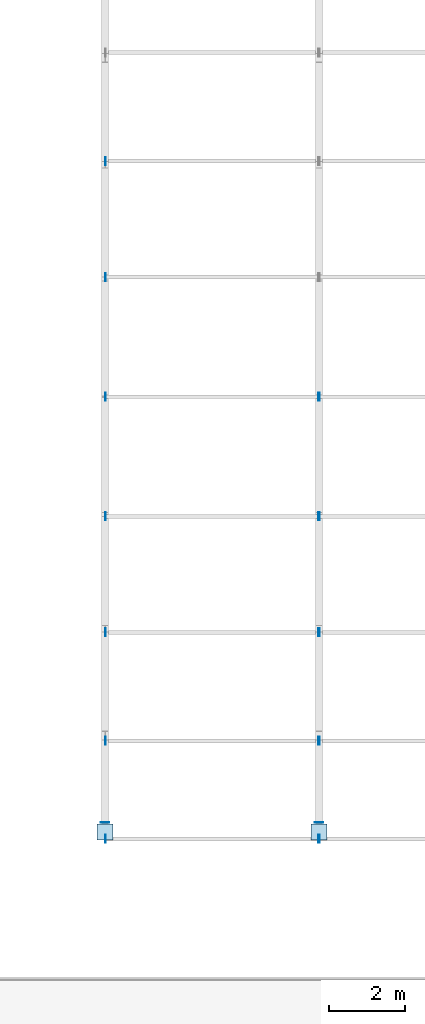
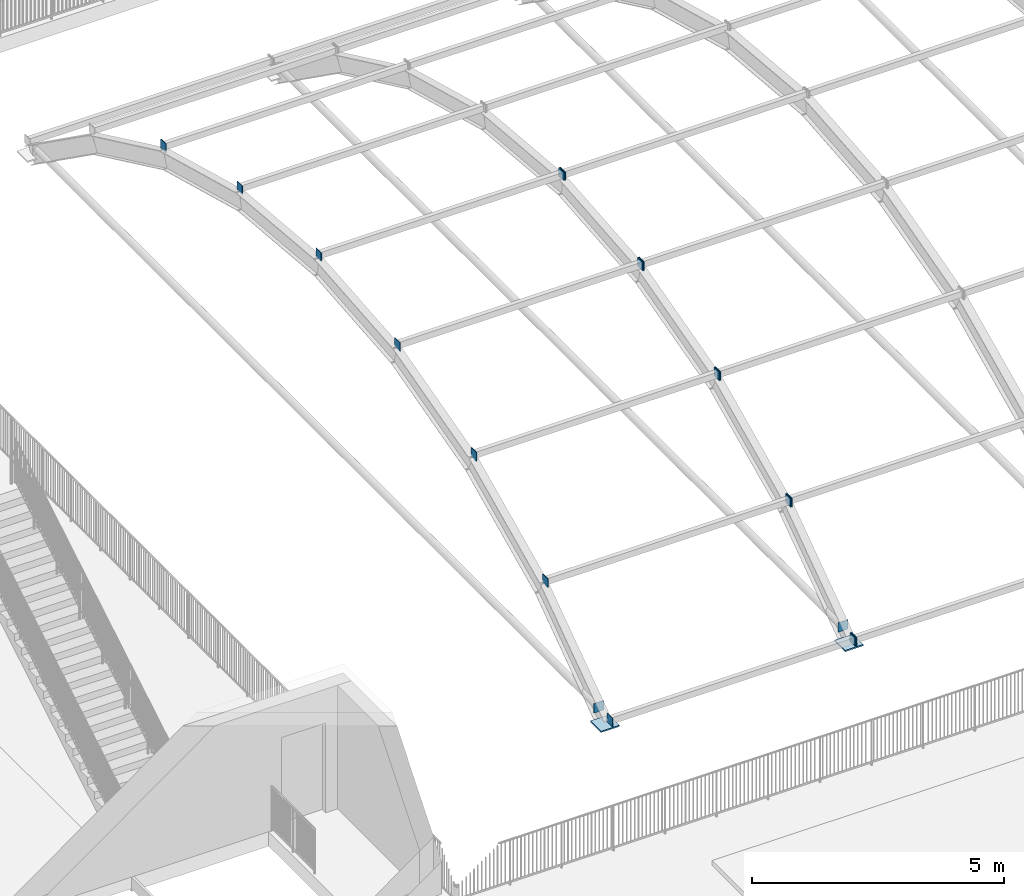
# One storey, part 47 of 79: 21 plates.
"""IFC4 building model written with IfcOpenShell, lengths in metres."""

from ifc_helpers import new_model, si_unit, direction, frame, origin, origin_2d, place, context, subcontext, project, spatial, rectangle, extrude, material, layer, layer_set, type_object, element, save


model = new_model("IFC4")

# Units and contexts
model_context = context("Model", 3, precision=1e-05, world=origin(), true_north=direction((0.0, 1.0)))
body_context = subcontext(model_context, "Body", "Model", "MODEL_VIEW")
ifc_project = project(units=[si_unit("LENGTHUNIT", "METRE"), si_unit("AREAUNIT", "SQUARE_METRE"), si_unit("VOLUMEUNIT", "CUBIC_METRE"), si_unit("PLANEANGLEUNIT", "RADIAN"), si_unit("MASSUNIT", "GRAM", prefix="KILO")], contexts=[model_context])

# Site, building, storey
site_placement = place(None, origin())
site = spatial("IfcSite", under=ifc_project, at=site_placement, CompositionType="ELEMENT")
building_placement = place(site_placement, origin())
building = spatial("IfcBuilding", under=site, at=building_placement, Name="Zantavel Square City Hall", CompositionType="ELEMENT")
storey_placement = place(building_placement, frame((0.0, 0.0, 10.199951171875)))
storey = spatial("IfcBuildingStorey", under=building, at=storey_placement, Name="L03", CompositionType="ELEMENT", Elevation=10.199951171875)

# Plates
ifc_material = material(Name="Steel ASTM A572 Grade 50", Category="steel")
ifc_layer_1 = layer(ifc_material, 0.01611328125, Name="Steel ASTM A572 Grade 50")
ifc_layer_set_1 = layer_set([ifc_layer_1], Name="Steel ASTM A572 Grade 50")
plate_type_1 = type_object("IfcPlateType", Name="CHS 168 End Cap Plate 16mm", PredefinedType="SHEET", material=ifc_layer_set_1)
for number, where, z_axis, x_axis, name in (
    (1, (125.60009765625, 42.0439453125, 0.16748046875), (0.0, 0.0, 1.0), (0.0, 1.0, 0.0), "Skylight Rib 1 Tie End Cap 1"),
    (2, (131.199951171875, 42.0439453125, 0.16748046875), (0.0, 0.0, 1.0), (0.0, 1.0, 0.0), "Skylight Rib 2 Tie End Cap 1"),
):
    element("IfcPlate", number, at=place(storey_placement, frame(where, z_axis=z_axis, x_axis=x_axis)), inside=storey, type_object=plate_type_1, Name=name, PredefinedType="SHEET", context=body_context, shape_type="SweptSolid", body=[
        extrude(rectangle(XDim=0.01611328125, YDim=0.22509765625, at=origin_2d()), origin(), (0.0, 0.0, 1.0), 0.22509765625),
    ])
ifc_layer_2 = layer(ifc_material, 0.01611328125, Name="Steel ASTM A572 Grade 50")
ifc_layer_set_2 = layer_set([ifc_layer_2], Name="Steel ASTM A572 Grade 50")
plate_type_2 = type_object("IfcPlateType", Name="HSS 152x102 End Cap Plate 16mm", PredefinedType="SHEET", material=ifc_layer_set_2)
for number, where, z_axis, x_axis, name in (
    (3, (125.614013671875, 41.620361328125, 0.10595703125), (0.0, 0.0, 1.0), (1.0, 0.0, 0.0), "Skylight Bay 1 Purlin 1 End Cap 1"),
    (4, (131.18603515625, 41.620361328125, 0.10595703125), (0.0, 0.0, 1.0), (1.0, 0.0, 0.0), "Skylight Bay 1 Purlin 1 End Cap 2"),
    (5, (125.614013671875, 44.184814453125, 1.927978515625), (0.0, 0.0, 1.0), (1.0, 0.0, 0.0), "Skylight Bay 1 Purlin 2 End Cap 1"),
    (6, (131.18603515625, 44.184814453125, 1.927978515625), (0.0, 0.0, 1.0), (1.0, 0.0, 0.0), "Skylight Bay 1 Purlin 2 End Cap 2"),
    (7, (125.614013671875, 47.02978515625, 3.271484375), (0.0, 0.0, 1.0), (1.0, 0.0, 0.0), "Skylight Bay 1 Purlin 3 End Cap 1"),
    (8, (131.18603515625, 47.02978515625, 3.271484375), (0.0, 0.0, 1.0), (1.0, 0.0, 0.0), "Skylight Bay 1 Purlin 3 End Cap 2"),
    (9, (125.614013671875, 50.066162109375, 4.0947265625), (0.0, 0.0, 1.0), (1.0, 0.0, 0.0), "Skylight Bay 1 Purlin 4 End Cap 1"),
    (10, (131.18603515625, 50.066162109375, 4.0947265625), (0.0, 0.0, 1.0), (1.0, 0.0, 0.0), "Skylight Bay 1 Purlin 4 End Cap 2"),
    (11, (125.614013671875, 53.199951171875, 4.3720703125), (0.0, 0.0, 1.0), (1.0, 0.0, 0.0), "Skylight Bay 1 Purlin 5 End Cap 1"),
    (12, (131.18603515625, 53.199951171875, 4.3720703125), (0.0, 0.0, 1.0), (1.0, 0.0, 0.0), "Skylight Bay 1 Purlin 5 End Cap 2"),
    (13, (125.614013671875, 56.333740234375, 4.0947265625), (0.0, 0.0, 1.0), (1.0, 0.0, 0.0), "Skylight Bay 1 Purlin 6 End Cap 1"),
    (14, (125.614013671875, 59.370361328125, 3.271484375), (0.0, 0.0, 1.0), (1.0, 0.0, 0.0), "Skylight Bay 1 Purlin 7 End Cap 1"),
    (15, (131.214111328125, 41.620361328125, 0.10595703125), (0.0, 0.0, 1.0), (1.0, 0.0, 0.0), "Skylight Bay 2 Purlin 1 End Cap 1"),
    (16, (131.214111328125, 44.184814453125, 1.927978515625), (0.0, 0.0, 1.0), (1.0, 0.0, 0.0), "Skylight Bay 2 Purlin 2 End Cap 1"),
    (17, (131.214111328125, 47.02978515625, 3.271484375), (0.0, 0.0, 1.0), (1.0, 0.0, 0.0), "Skylight Bay 2 Purlin 3 End Cap 1"),
    (18, (131.214111328125, 50.066162109375, 4.0947265625), (0.0, 0.0, 1.0), (1.0, 0.0, 0.0), "Skylight Bay 2 Purlin 4 End Cap 1"),
    (19, (131.214111328125, 53.199951171875, 4.3720703125), (0.0, 0.0, 1.0), (1.0, 0.0, 0.0), "Skylight Bay 2 Purlin 5 End Cap 1"),
):
    element("IfcPlate", number, at=place(storey_placement, frame(where, z_axis=z_axis, x_axis=x_axis)), inside=storey, type_object=plate_type_2, Name=name, PredefinedType="SHEET", context=body_context, shape_type="SweptSolid", body=[
        extrude(rectangle(XDim=0.01611328125, YDim=0.2099609375, at=origin_2d()), origin(), (0.0, 0.0, 1.0), 0.2099609375),
    ])
ifc_layer_3 = layer(ifc_material, 0.031982421875, Name="Steel ASTM A572 Grade 50")
ifc_layer_set_3 = layer_set([ifc_layer_3], Name="Steel ASTM A572 Grade 50")
plate_type_3 = type_object("IfcPlateType", Name="Skylight Rib Base Plate 420x420x32", PredefinedType="SHEET", material=ifc_layer_set_3)
for number, where, z_axis, x_axis, name in (
    (20, (125.60009765625, 41.800048828125, 0.0), (0.0, 0.0, 1.0), (1.0, 0.0, 0.0), "Skylight Base Plate 1-S"),
    (21, (131.199951171875, 41.800048828125, 0.0), (0.0, 0.0, 1.0), (1.0, 0.0, 0.0), "Skylight Base Plate 2-S"),
):
    element("IfcPlate", number, at=place(storey_placement, frame(where, z_axis=z_axis, x_axis=x_axis)), inside=storey, type_object=plate_type_3, Name=name, PredefinedType="SHEET", context=body_context, shape_type="SweptSolid", body=[
        extrude(rectangle(XDim=0.419921875, YDim=0.419921875, at=origin_2d()), origin(), (0.0, 0.0, 1.0), 0.031982421875),
    ])

save(model, "model.ifc")
